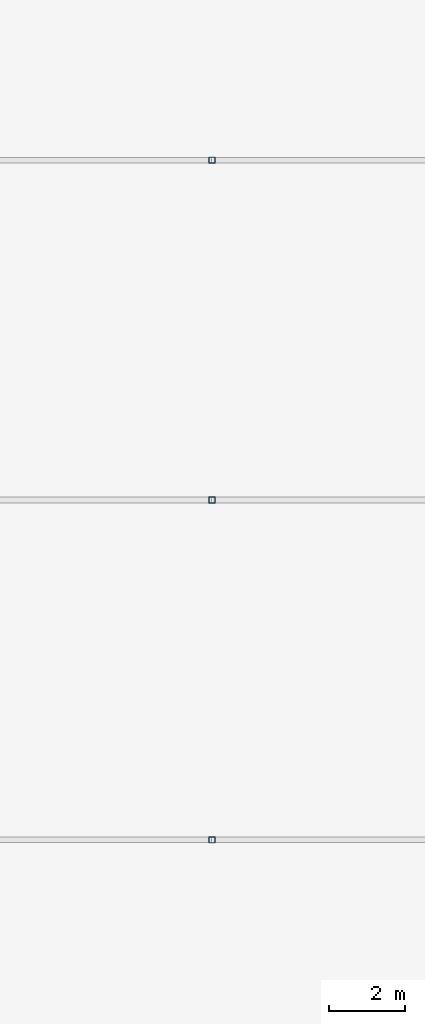
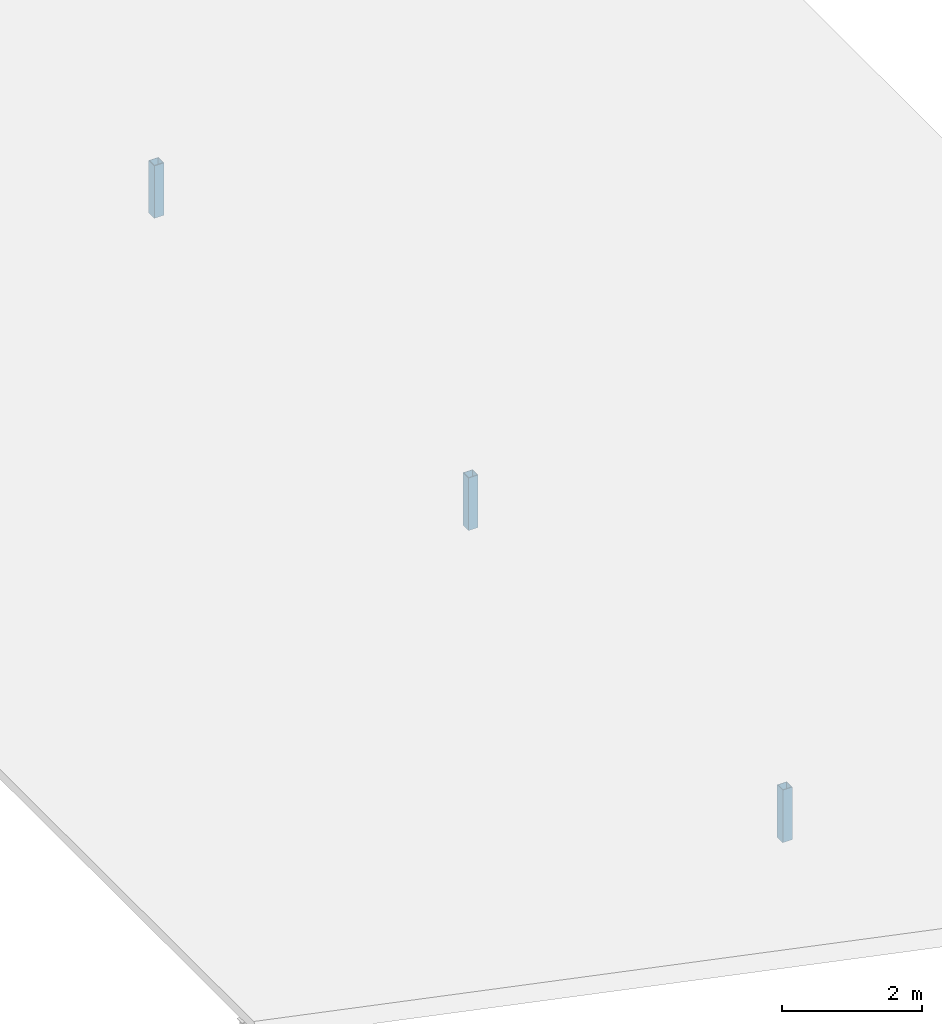
# One storey, part 17 of 93: 3 columns.
"""IFC4 building model written with IfcOpenShell, lengths in metres."""

from ifc_helpers import new_model, si_unit, direction, frame, origin, origin_2d, place, context, subcontext, project, spatial, hollow_rectangle, extrude, material, material_profile, profile_set, type_object, element, save


model = new_model("IFC4")

# Units and contexts
model_context = context("Model", 3, precision=1e-05, world=origin(), true_north=direction((0.0, 1.0)))
body_context = subcontext(model_context, "Body", "Model", "MODEL_VIEW")
ifc_project = project(units=[si_unit("LENGTHUNIT", "METRE"), si_unit("AREAUNIT", "SQUARE_METRE"), si_unit("VOLUMEUNIT", "CUBIC_METRE"), si_unit("PLANEANGLEUNIT", "RADIAN"), si_unit("MASSUNIT", "GRAM", prefix="KILO")], contexts=[model_context])

# Site, building, storey
site_placement = place(None, origin())
site = spatial("IfcSite", under=ifc_project, at=site_placement, CompositionType="ELEMENT")
building_placement = place(site_placement, origin())
building = spatial("IfcBuilding", under=site, at=building_placement, Name="Vourika Railside Aquatics Centre", CompositionType="ELEMENT")
storey_placement = place(building_placement, frame((0.0, 0.0, 21.89990234375)))
storey = spatial("IfcBuildingStorey", under=building, at=storey_placement, Name="Roof", CompositionType="ELEMENT", Elevation=21.89990234375)

# Columns
ifc_material = material(Name="Steel S355J2", Category="steel")
ifc_material_profile = material_profile(ifc_material, hollow_rectangle(XDim=0.159912109375, YDim=0.159912109375, WallThickness=0.008056640625, at=origin_2d()), Name="SHS 160x160x8")
ifc_profile_set = profile_set([ifc_material_profile], Name="Steel S355J2")
column_type = type_object("IfcColumnType", Name="COL-STL-SHS160", PredefinedType="COLUMN", material=ifc_profile_set)
for number, where, z_axis, x_axis, name in (
    (1, (27.0, 66.0, -4.199951171875), (0.0, 0.0, 1.0), (1.0, 0.0, 0.0), "West Link Roof Post (27,66)"),
    (2, (27.0, 75.0, -4.199951171875), (0.0, 0.0, 1.0), (1.0, 0.0, 0.0), "West Link Roof Post (27,75)"),
    (3, (27.0, 84.0, -4.199951171875), (0.0, 0.0, 1.0), (1.0, 0.0, 0.0), "West Link Roof Post (27,84)"),
):
    element("IfcColumn", number, at=place(storey_placement, frame(where, z_axis=z_axis, x_axis=x_axis)), inside=storey, type_object=column_type, Name=name, PredefinedType="COLUMN", context=body_context, shape_type="SweptSolid", body=[
        extrude(hollow_rectangle(XDim=0.159912109375, YDim=0.159912109375, WallThickness=0.008056640625, at=origin_2d()), origin(), (0.0, 0.0, 1.0), 0.920166015625),
    ])

save(model, "model.ifc")
